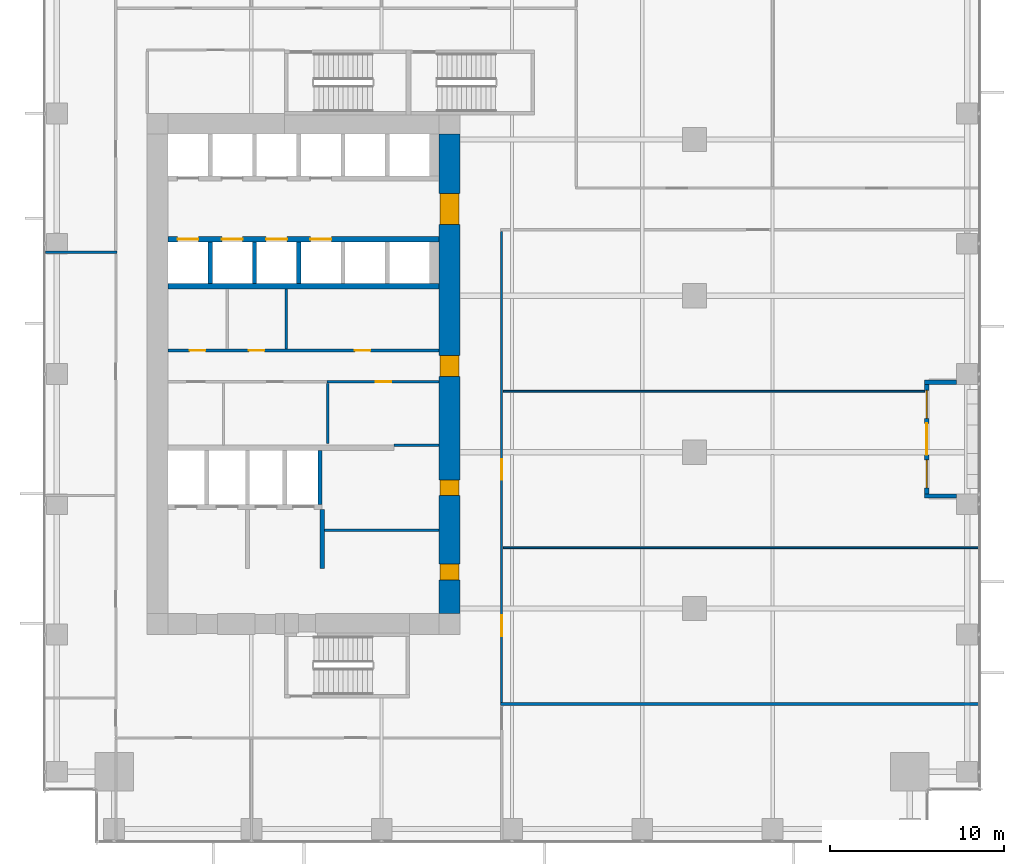
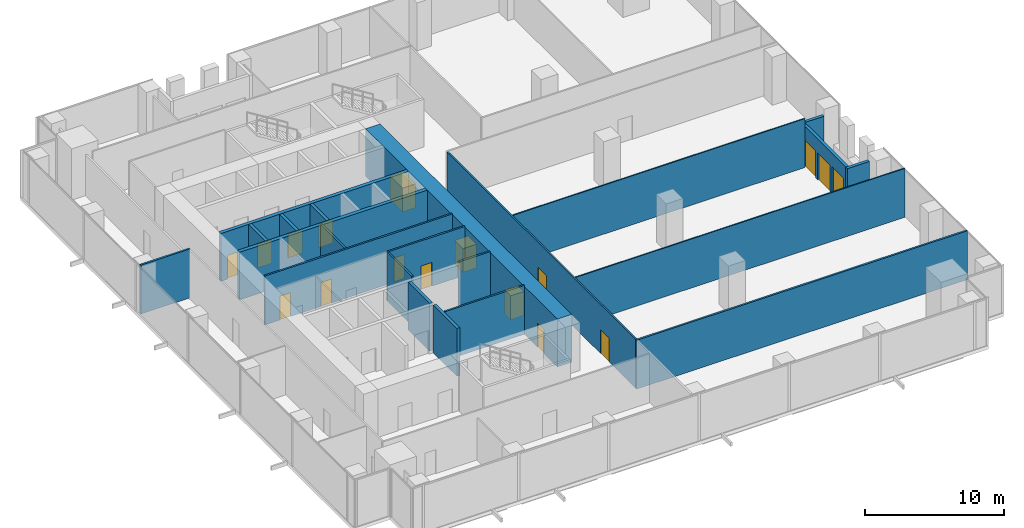
# One storey, part 27 of 32: 22 walls, 15 doors, 2 windows, 17 openings.
"""IFC4 building model written with IfcOpenShell, lengths in metres."""

import ifcopenshell
import ifcopenshell.guid

model = None  # the IFC model being written
_history = None  # IfcOwnerHistory: only IFC2X3 demands one
_inside = {}  # id of a spatial element -> (the spatial element, [elements in it])
_under = {}  # id of a project, library or spatial element -> (it, [spatial elements below it])
_declared = {}  # id of a project -> (the project, [libraries it declares])
_typed = {}  # id of a type object -> (the type object, [elements of that type])
_made_of = {}  # id of a material, layer set ... -> (it, [elements and type objects made of it])


def new_model(schema):
    """Start an empty IFC model of exactly this schema.

    Asked for "IFC4X3", IfcOpenShell would pick the latest addendum, in which some entities
    have other attributes; the version numbers below select the first issue.
    IFC2X3 requires an IfcOwnerHistory on every rooted entity: one is made here for all.
    """
    global model, _history
    if schema == "IFC4X3":
        model = ifcopenshell.file(schema_version=(4, 3, 0, 0))
    else:
        model = ifcopenshell.file(schema=schema)
    _inside.clear()
    _under.clear()
    _declared.clear()
    _typed.clear()
    _made_of.clear()
    _history = None
    if model.schema == "IFC2X3":
        org = make("IfcOrganization", Name="unknown")
        user = make(
            "IfcPersonAndOrganization",
            ThePerson=make("IfcPerson", FamilyName="unknown"),
            TheOrganization=org,
        )
        app = make(
            "IfcApplication",
            ApplicationDeveloper=org,
            Version="unknown",
            ApplicationFullName="unknown",
            ApplicationIdentifier="unknown",
        )
        _history = make(
            "IfcOwnerHistory",
            OwningUser=user,
            OwningApplication=app,
            ChangeAction="ADDED",
            CreationDate=0,
        )
    return model


def make(cls, **values):
    """One entity of the class cls with the attributes given. An attribute that is None is left unset."""
    return model.create_entity(
        cls, **{name: value for name, value in values.items() if value is not None}
    )


def rooted(cls, **values):
    """An entity with a GlobalId (a new one), such as an element, a storey or a relation."""
    return make(cls, GlobalId=ifcopenshell.guid.new(), OwnerHistory=_history, **values)


def si_unit(unit_type, name, prefix=None):
    """IfcSIUnit, for example si_unit("LENGTHUNIT", "METRE", prefix="MILLI")."""
    return make("IfcSIUnit", UnitType=unit_type, Prefix=prefix, Name=name)


def assignment(units):
    """IfcUnitAssignment: the units of a project."""
    return None if units is None else make("IfcUnitAssignment", Units=units)


def point(xyz):
    """IfcCartesianPoint."""
    return None if xyz is None else make("IfcCartesianPoint", Coordinates=xyz)


def direction(xyz):
    """IfcDirection."""
    return None if xyz is None else make("IfcDirection", DirectionRatios=xyz)


def frame(location, z_axis=None, x_axis=None):
    """IfcAxis2Placement3D, a coordinate frame: its origin and axes. An axis left out is left unset."""
    return make(
        "IfcAxis2Placement3D",
        Location=point(location),
        Axis=direction(z_axis),
        RefDirection=direction(x_axis),
    )


def frame_2d(location, x_axis=None):
    """IfcAxis2Placement2D, a coordinate frame in the plane: its origin and x axis."""
    return make(
        "IfcAxis2Placement2D", Location=point(location), RefDirection=direction(x_axis)
    )


def origin():
    """The frame at (0, 0, 0) with its axes left unset."""
    return frame((0.0, 0.0, 0.0))


def place(relative_to, where):
    """IfcLocalPlacement: puts the frame where relative to a parent placement (None: the world)."""
    return make(
        "IfcLocalPlacement", PlacementRelTo=relative_to, RelativePlacement=where
    )


def context(
    kind, dimensions, precision=None, world=None, true_north=None, identifier=None
):
    """IfcGeometricRepresentationContext, for example the 3D "Model" context."""
    return make(
        "IfcGeometricRepresentationContext",
        ContextIdentifier=identifier,
        ContextType=kind,
        CoordinateSpaceDimension=dimensions,
        Precision=precision,
        WorldCoordinateSystem=world,
        TrueNorth=true_north,
    )


def subcontext(parent, identifier, kind, view, scale=None):
    """IfcGeometricRepresentationSubContext, for example "Body" below "Model"."""
    return make(
        "IfcGeometricRepresentationSubContext",
        ContextIdentifier=identifier,
        ContextType=kind,
        ParentContext=parent,
        TargetScale=scale,
        TargetView=view,
    )


def project(units=None, contexts=None):
    """IfcProject with its units and contexts."""
    return rooted(
        "IfcProject",
        Name="project",
        RepresentationContexts=contexts,
        UnitsInContext=assignment(units),
    )


def spatial(cls, under=None, at=None, **own):
    """A site, building, storey or space (cls), placed at a placement, below another one or the project."""
    s = rooted(cls, ObjectPlacement=at, **own)
    if under is not None:
        _under.setdefault(under.id(), (under, []))[1].append(s)
    return s


def profile(cls, at=None, kind="AREA", **sizes):
    """A parametric profile (cls). Its sizes go by their IFC names, for example OverallWidth=200.0."""
    return make(cls, ProfileType=kind, Position=at, **sizes)


def rectangle(**sizes):
    """IfcRectangleProfileDef."""
    return profile("IfcRectangleProfileDef", **sizes)


def extrude(swept, where, along, depth):
    """IfcExtrudedAreaSolid: the profile swept, set in the frame where, extruded along a direction by depth."""
    return make(
        "IfcExtrudedAreaSolid",
        SweptArea=swept,
        Position=where,
        ExtrudedDirection=direction(along),
        Depth=depth,
    )


def shape(context_of_items, identifier, shape_type, items):
    """IfcShapeRepresentation: the items that make up one representation, for example the "Body"."""
    return make(
        "IfcShapeRepresentation",
        ContextOfItems=context_of_items,
        RepresentationIdentifier=identifier,
        RepresentationType=shape_type,
        Items=items,
    )


def source(mapping_origin, context_of_items, identifier, shape_type, items):
    """IfcRepresentationMap: a shape defined once, which mapped items show again and again."""
    return make(
        "IfcRepresentationMap",
        MappingOrigin=mapping_origin,
        MappedRepresentation=shape(context_of_items, identifier, shape_type, items),
    )


def transform(
    local_origin,
    x_axis=None,
    y_axis=None,
    z_axis=None,
    scale=None,
    scale2=None,
    scale3=None,
    uniform=True,
):
    """IfcCartesianTransformationOperator3D, or its non-uniform kind. x_axis, y_axis, z_axis: its Axis1, 2, 3."""
    if uniform:
        return make(
            "IfcCartesianTransformationOperator3D",
            Axis1=direction(x_axis),
            Axis2=direction(y_axis),
            LocalOrigin=point(local_origin),
            Scale=scale,
            Axis3=direction(z_axis),
        )
    return make(
        "IfcCartesianTransformationOperator3DnonUniform",
        Axis1=direction(x_axis),
        Axis2=direction(y_axis),
        LocalOrigin=point(local_origin),
        Scale=scale,
        Axis3=direction(z_axis),
        Scale2=scale2,
        Scale3=scale3,
    )


def mapped(mapping_source, mapping_target):
    """IfcMappedItem: shows the shape of a source again, moved by a transform."""
    return make(
        "IfcMappedItem", MappingSource=mapping_source, MappingTarget=mapping_target
    )


def material(Name=None, Category=None):
    """IfcMaterial."""
    return make("IfcMaterial", Name=Name, Category=Category)


def layer(
    of_material, thickness, ventilated=None, Name=None, Category=None, Priority=None
):
    """IfcMaterialLayer: one layer of a wall or slab, of a material (None: an air gap)."""
    return make(
        "IfcMaterialLayer",
        Material=of_material,
        LayerThickness=thickness,
        IsVentilated=ventilated,
        Name=Name,
        Category=Category,
        Priority=Priority,
    )


def layer_set(layers, Name=None):
    """IfcMaterialLayerSet."""
    return make("IfcMaterialLayerSet", MaterialLayers=layers, LayerSetName=Name)


def made_of(thing, what):
    """Note that an element or type object is made of a material, layer set ...; save() writes the relation."""
    if what is not None:
        _made_of.setdefault(what.id(), (what, []))[1].append(thing)
    return thing


def type_object(cls, material=None, **own):
    """A type object (cls), such as IfcWallType, which elements share."""
    return made_of(rooted(cls, **own), material)


def element(
    cls,
    number,
    at=None,
    inside=None,
    cuts=None,
    type_object=None,
    material=None,
    context=None,
    identifier="Body",
    shape_type=None,
    held_by="IfcProductDefinitionShape",
    body=None,
    shapes=None,
    **own,
):
    """One element of the class cls, such as IfcWall. Its Tag is "e" and its number.

    at: its placement. inside: the storey or other place that contains it. cuts: it is an
    opening in that element (IfcRelVoidsElement). A single representation is given by context,
    identifier, shape_type and body (its items); several are given by shapes. held_by: the class
    of the entity that holds the representations. save() writes the other relations.
    """
    e = rooted(cls, Tag="e%d" % number, ObjectPlacement=at, **own)
    if body is not None:
        shapes = [shape(context, identifier, shape_type, body)]
    if shapes is not None:
        e.Representation = make(held_by, Representations=shapes)
    if inside is not None:
        _inside.setdefault(inside.id(), (inside, []))[1].append(e)
    if cuts is not None:
        rooted(
            "IfcRelVoidsElement", RelatingBuildingElement=cuts, RelatedOpeningElement=e
        )
    if type_object is not None:
        _typed.setdefault(type_object.id(), (type_object, []))[1].append(e)
    return made_of(e, material)


def fill(opening, filler):
    """IfcRelFillsElement: the door or window that sits in an opening."""
    return rooted(
        "IfcRelFillsElement",
        RelatingOpeningElement=opening,
        RelatedBuildingElement=filler,
    )


def aggregate(whole, parts):
    """IfcRelAggregates: a whole, such as a stair, and the parts it consists of."""
    return rooted("IfcRelAggregates", RelatingObject=whole, RelatedObjects=parts)


def save(model, path):
    """Write the relations noted so far, then the file.

    IfcRelAggregates (storeys below a building ...), IfcRelContainedInSpatialStructure (elements
    in a storey), IfcRelDefinesByType, IfcRelAssociatesMaterial and IfcRelDeclares: one each for
    every whole, place, type object, material and project.
    """
    for whole, parts in _under.values():
        aggregate(whole, parts)
    for where, things in _inside.values():
        rooted(
            "IfcRelContainedInSpatialStructure",
            RelatedElements=things,
            RelatingStructure=where,
        )
    for kind, things in _typed.values():
        rooted("IfcRelDefinesByType", RelatedObjects=things, RelatingType=kind)
    for what, things in _made_of.values():
        rooted("IfcRelAssociatesMaterial", RelatedObjects=things, RelatingMaterial=what)
    for by, libraries in _declared.values():
        rooted("IfcRelDeclares", RelatingContext=by, RelatedDefinitions=libraries)
    model.write(path)


model = new_model("IFC4")

# Units and contexts
model_context = context("Model", 3, precision=1e-05, world=origin(), true_north=direction((0.0, 1.0)))
body_context = subcontext(model_context, "Body", "Model", "MODEL_VIEW")
ifc_project = project(units=[si_unit("LENGTHUNIT", "METRE"), si_unit("AREAUNIT", "SQUARE_METRE"), si_unit("VOLUMEUNIT", "CUBIC_METRE"), si_unit("PLANEANGLEUNIT", "RADIAN"), si_unit("MASSUNIT", "GRAM", prefix="KILO")], contexts=[model_context])

# Site, building, storey
site_placement = place(None, origin())
site = spatial("IfcSite", under=ifc_project, at=site_placement, CompositionType="ELEMENT")
building_placement = place(site_placement, origin())
building = spatial("IfcBuilding", under=site, at=building_placement, Name="Khomas Fold Tower", CompositionType="ELEMENT")
storey_placement = place(building_placement, frame((0.0, 0.0, 42.0)))
storey = spatial("IfcBuildingStorey", under=building, at=storey_placement, Name="L08", CompositionType="ELEMENT", Elevation=42.0)

# Wall, openings, doors
ifc_material_1 = material(Name="Concrete C70/85", Category="concrete")
ifc_layer_1 = layer(ifc_material_1, 1.199951171875)
ifc_layer_set_1 = layer_set([ifc_layer_1], Name="Concrete C70/85")
wall_type_1 = type_object("IfcWallType", Name="Core wall 1200", PredefinedType="SHEAR", material=ifc_layer_set_1)
shared_shape_1 = source(origin(), body_context, "Body", "SweptSolid", [
    extrude(rectangle(XDim=27.60009765625, YDim=1.199951171875, at=frame_2d((13.800048828125, 0.0))), origin(), (0.0, 0.0, 1.0), 4.199951171875),
])
wall_1_placement = place(storey_placement, frame((23.39990234375, 13.199951171875, 0.0), z_axis=(0.0, 0.0, 1.0), x_axis=(0.0, 1.0, 0.0)))
wall_1 = element("IfcWall", 1, at=wall_1_placement, inside=storey, type_object=wall_type_1, Name="Core wall CW-L-E-B2", PredefinedType="SHEAR", context=body_context, shape_type="MappedRepresentation", body=[
    mapped(shared_shape_1, transform((0.0, 0.0, 0.0))),
])
shared_shape_2 = source(origin(), body_context, "Body", "SweptSolid", [
    extrude(rectangle(XDim=1.800048828125, YDim=2.10009765625, at=frame_2d((0.89990234375, 1.050048828125))), frame((0.0, 0.60986328125, 0.0), z_axis=(0.0, -1.0, 0.0), x_axis=(1.0, 0.0, 0.0)), (0.0, 0.0, 1.0), 1.219970703125),
])
opening_1_placement = place(wall_1_placement, frame((22.39990234375, 0.0, 0.0)))
opening_1 = element("IfcOpeningElement", 2, at=opening_1_placement, cuts=wall_1, Name="Opening 0015", PredefinedType="OPENING", context=body_context, shape_type="MappedRepresentation", body=[
    mapped(shared_shape_2, transform((0.0, 0.0, 0.0))),
])
shared_shape_3 = source(origin(), body_context, "Body", "SweptSolid", [
    extrude(rectangle(XDim=1.199951171875, YDim=2.10009765625, at=frame_2d((0.60009765625, 1.050048828125))), frame((0.0, 0.60986328125, 0.0), z_axis=(0.0, -1.0, 0.0), x_axis=(1.0, 0.0, 0.0)), (0.0, 0.0, 1.0), 1.219970703125),
])
opening_2_placement = place(wall_1_placement, frame((13.64990234375, 0.0, 0.0)))
opening_2 = element("IfcOpeningElement", 3, at=opening_2_placement, cuts=wall_1, Name="Opening 0001", PredefinedType="OPENING", context=body_context, shape_type="MappedRepresentation", body=[
    mapped(shared_shape_3, transform((0.0, 0.0, 0.0))),
])
shared_shape_4 = source(origin(), body_context, "Body", "SweptSolid", [
    extrude(rectangle(XDim=0.89990234375, YDim=2.10009765625, at=frame_2d((0.449951171875, 1.050048828125))), frame((0.0, 0.60986328125, 0.0), z_axis=(0.0, -1.0, 0.0), x_axis=(1.0, 0.0, 0.0)), (0.0, 0.0, 1.0), 1.219970703125),
])
opening_3_placement = place(wall_1_placement, frame((1.949951171875, 0.0, 0.0)))
opening_3 = element("IfcOpeningElement", 4, at=opening_3_placement, cuts=wall_1, Name="Opening 0003", PredefinedType="OPENING", context=body_context, shape_type="MappedRepresentation", body=[
    mapped(shared_shape_4, transform((0.0, 0.0, 0.0))),
])
opening_4_placement = place(wall_1_placement, frame((6.800048828125, 0.0, 0.0)))
opening_4 = element("IfcOpeningElement", 5, at=opening_4_placement, cuts=wall_1, Name="Opening 0003", PredefinedType="OPENING", context=body_context, shape_type="MappedRepresentation", body=[
    mapped(shared_shape_4, transform((0.0, 0.0, 0.0))),
])
ifc_material_2 = material(Name="Timber door leaf", Category="wood")
door_type_1 = type_object("IfcDoorType", Name="Door 1200x2100 right-hand", OperationType="SINGLE_SWING_RIGHT", PredefinedType="DOOR", material=ifc_material_2)
shared_shape_5 = source(origin(), body_context, "Body", "SweptSolid", [
    extrude(rectangle(XDim=1.199951171875, YDim=2.10009765625, at=frame_2d((0.60009765625, 1.050048828125))), frame((0.0, 0.5498046875, 0.0), z_axis=(0.0, -1.0, 0.0), x_axis=(1.0, 0.0, 0.0)), (0.0, 0.0, 1.0), 1.099853515625),
])
door_1_placement = place(opening_2_placement, origin())
door_1 = element("IfcDoor", 6, at=door_1_placement, inside=storey, type_object=door_type_1, Name="Door", OperationType="SINGLE_SWING_RIGHT", OverallHeight=2.10009765625, OverallWidth=1.199951171875, PredefinedType="DOOR", context=body_context, shape_type="MappedRepresentation", body=[
    mapped(shared_shape_5, transform((0.0, 0.0, 0.0))),
])
fill(opening_2, door_1)
ifc_material_3 = material(Name="Steel door leaf", Category="steel")
door_type_2 = type_object("IfcDoorType", Name="Plant room door 900x2100 right-hand", OperationType="SINGLE_SWING_RIGHT", PredefinedType="DOOR", material=ifc_material_3)
shared_shape_6 = source(origin(), body_context, "Body", "SweptSolid", [
    extrude(rectangle(XDim=0.89990234375, YDim=2.10009765625, at=frame_2d((0.449951171875, 1.050048828125))), frame((0.0, 0.5498046875, 0.0), z_axis=(0.0, -1.0, 0.0), x_axis=(1.0, 0.0, 0.0)), (0.0, 0.0, 1.0), 1.099853515625),
])
door_2_placement = place(opening_3_placement, origin())
door_2 = element("IfcDoor", 7, at=door_2_placement, inside=storey, type_object=door_type_2, Name="Plant room door", OperationType="SINGLE_SWING_RIGHT", OverallHeight=2.10009765625, OverallWidth=0.89990234375, PredefinedType="DOOR", context=body_context, shape_type="MappedRepresentation", body=[
    mapped(shared_shape_6, transform((0.0, 0.0, 0.0))),
])
fill(opening_3, door_2)
door_3_placement = place(opening_4_placement, origin())
door_3 = element("IfcDoor", 8, at=door_3_placement, inside=storey, type_object=door_type_2, Name="Plant room door", OperationType="SINGLE_SWING_RIGHT", OverallHeight=2.10009765625, OverallWidth=0.89990234375, PredefinedType="DOOR", context=body_context, shape_type="MappedRepresentation", body=[
    mapped(shared_shape_6, transform((0.0, 0.0, 0.0))),
])
fill(opening_4, door_3)
ifc_material_4 = material(Name="Steel door leaf", Category="steel")
door_type_3 = type_object("IfcDoorType", Name="Lobby door 1800x2100", OperationType="DOUBLE_DOOR_SINGLE_SWING", PredefinedType="DOOR", material=ifc_material_4)
shared_shape_7 = source(origin(), body_context, "Body", "SweptSolid", [
    extrude(rectangle(XDim=1.800048828125, YDim=2.10009765625, at=frame_2d((0.89990234375, 1.050048828125))), frame((0.0, 0.5498046875, 0.0), z_axis=(0.0, -1.0, 0.0), x_axis=(1.0, 0.0, 0.0)), (0.0, 0.0, 1.0), 1.099853515625),
])
door_4_placement = place(opening_1_placement, origin())
door_4 = element("IfcDoor", 9, at=door_4_placement, inside=storey, type_object=door_type_3, Name="Lobby door", OperationType="DOUBLE_DOOR_SINGLE_SWING", OverallHeight=2.10009765625, OverallWidth=1.800048828125, PredefinedType="DOOR", context=body_context, shape_type="MappedRepresentation", body=[
    mapped(shared_shape_7, transform((0.0, 0.0, 0.0))),
])
fill(opening_1, door_4)

# Wall
ifc_material_5 = material(Name="Concrete C50/60", Category="concrete")
ifc_layer_2 = layer(ifc_material_5, 0.300048828125)
ifc_layer_set_2 = layer_set([ifc_layer_2], Name="Concrete C50/60")
wall_type_2 = type_object("IfcWallType", Name="Shaft wall 300", PredefinedType="STANDARD", material=ifc_layer_set_2)
shared_shape_8 = source(origin(), body_context, "Body", "SweptSolid", [
    extrude(rectangle(XDim=15.60009765625, YDim=0.300048828125, at=frame_2d((7.800048828125, 0.0))), origin(), (0.0, 0.0, 1.0), 4.199951171875),
])
wall_2_placement = place(storey_placement, frame((7.199951171875, 32.050048828125, 0.0), z_axis=(0.0, 0.0, 1.0), x_axis=(1.0, 0.0, 0.0)))
element("IfcWall", 10, at=wall_2_placement, inside=storey, type_object=wall_type_2, Name="Core wall SW-HRN-B", PredefinedType="STANDARD", context=body_context, shape_type="MappedRepresentation", body=[
    mapped(shared_shape_8, transform((0.0, 0.0, 0.0))),
])

# Wall, openings, doors
wall_3_placement = place(storey_placement, frame((7.199951171875, 34.75, 0.0), z_axis=(0.0, 0.0, 1.0), x_axis=(1.0, 0.0, 0.0)))
wall_3 = element("IfcWall", 11, at=wall_3_placement, inside=storey, type_object=wall_type_2, Name="Core wall SW-LRS-F", PredefinedType="STANDARD", context=body_context, shape_type="MappedRepresentation", body=[
    mapped(shared_shape_8, transform((0.0, 0.0, 0.0))),
])
shared_shape_9 = source(origin(), body_context, "Body", "SweptSolid", [
    extrude(rectangle(XDim=1.199951171875, YDim=2.10009765625, at=frame_2d((0.60009765625, 1.050048828125))), frame((0.0, 0.159912109375, 0.0), z_axis=(0.0, -1.0, 0.0), x_axis=(1.0, 0.0, 0.0)), (0.0, 0.0, 1.0), 0.320068359375),
])
opening_5_placement = place(wall_3_placement, frame((0.550048828125, 0.0, 0.0)))
opening_5 = element("IfcOpeningElement", 12, at=opening_5_placement, cuts=wall_3, Name="Opening LD-LR1", PredefinedType="OPENING", context=body_context, shape_type="MappedRepresentation", body=[
    mapped(shared_shape_9, transform((0.0, 0.0, 0.0))),
])
opening_6_placement = place(wall_3_placement, frame((3.10009765625, 0.0, 0.0)))
opening_6 = element("IfcOpeningElement", 13, at=opening_6_placement, cuts=wall_3, Name="Opening LD-LR2", PredefinedType="OPENING", context=body_context, shape_type="MappedRepresentation", body=[
    mapped(shared_shape_9, transform((0.0, 0.0, 0.0))),
])
opening_7_placement = place(wall_3_placement, frame((5.64990234375, 0.0, 0.0)))
opening_7 = element("IfcOpeningElement", 14, at=opening_7_placement, cuts=wall_3, Name="Opening LD-LR3", PredefinedType="OPENING", context=body_context, shape_type="MappedRepresentation", body=[
    mapped(shared_shape_9, transform((0.0, 0.0, 0.0))),
])
opening_8_placement = place(wall_3_placement, frame((8.199951171875, 0.0, 0.0)))
opening_8 = element("IfcOpeningElement", 15, at=opening_8_placement, cuts=wall_3, Name="Opening LD-LR4", PredefinedType="OPENING", context=body_context, shape_type="MappedRepresentation", body=[
    mapped(shared_shape_9, transform((0.0, 0.0, 0.0))),
])
ifc_material_6 = material(Name="Steel door leaf", Category="steel")
door_type_4 = type_object("IfcDoorType", Name="Landing door 1200x2100", OperationType="DOUBLE_DOOR_SLIDING", PredefinedType="DOOR", material=ifc_material_6)
shared_shape_10 = source(origin(), body_context, "Body", "SweptSolid", [
    extrude(rectangle(XDim=1.199951171875, YDim=2.10009765625, at=frame_2d((0.60009765625, 1.050048828125))), frame((0.0, 0.02490234375, 0.0), z_axis=(0.0, -1.0, 0.0), x_axis=(1.0, 0.0, 0.0)), (0.0, 0.0, 1.0), 0.050048828125),
])
door_5_placement = place(opening_5_placement, origin())
door_5 = element("IfcDoor", 16, at=door_5_placement, inside=storey, type_object=door_type_4, Name="Lift landing door", OperationType="DOUBLE_DOOR_SLIDING", OverallHeight=2.10009765625, OverallWidth=1.199951171875, PredefinedType="DOOR", context=body_context, shape_type="MappedRepresentation", body=[
    mapped(shared_shape_10, transform((0.0, 0.0, 0.0))),
])
fill(opening_5, door_5)
door_6_placement = place(opening_6_placement, origin())
door_6 = element("IfcDoor", 17, at=door_6_placement, inside=storey, type_object=door_type_4, Name="Lift landing door", OperationType="DOUBLE_DOOR_SLIDING", OverallHeight=2.10009765625, OverallWidth=1.199951171875, PredefinedType="DOOR", context=body_context, shape_type="MappedRepresentation", body=[
    mapped(shared_shape_10, transform((0.0, 0.0, 0.0))),
])
fill(opening_6, door_6)
door_7_placement = place(opening_7_placement, origin())
door_7 = element("IfcDoor", 18, at=door_7_placement, inside=storey, type_object=door_type_4, Name="Lift landing door", OperationType="DOUBLE_DOOR_SLIDING", OverallHeight=2.10009765625, OverallWidth=1.199951171875, PredefinedType="DOOR", context=body_context, shape_type="MappedRepresentation", body=[
    mapped(shared_shape_10, transform((0.0, 0.0, 0.0))),
])
fill(opening_7, door_7)
door_8_placement = place(opening_8_placement, origin())
door_8 = element("IfcDoor", 19, at=door_8_placement, inside=storey, type_object=door_type_4, Name="Lift landing door", OperationType="DOUBLE_DOOR_SLIDING", OverallHeight=2.10009765625, OverallWidth=1.199951171875, PredefinedType="DOOR", context=body_context, shape_type="MappedRepresentation", body=[
    mapped(shared_shape_10, transform((0.0, 0.0, 0.0))),
])
fill(opening_8, door_8)

# Walls
ifc_material_7 = material(Name="Concrete C50/60", Category="concrete")
ifc_layer_3 = layer(ifc_material_7, 0.25)
ifc_layer_set_3 = layer_set([ifc_layer_3], Name="Concrete C50/60")
wall_type_3 = type_object("IfcWallType", Name="Shaft wall 250", PredefinedType="STANDARD", material=ifc_layer_set_3)
shared_shape_11 = source(origin(), body_context, "Body", "SweptSolid", [
    extrude(rectangle(XDim=3.10009765625, YDim=0.25, at=frame_2d((1.550048828125, 0.0))), origin(), (0.0, 0.0, 1.0), 4.199951171875),
])
wall_4_placement = place(storey_placement, frame((15.949951171875, 19.5, 0.0), z_axis=(0.0, 0.0, 1.0), x_axis=(0.0, 1.0, 0.0)))
element("IfcWall", 20, at=wall_4_placement, inside=storey, type_object=wall_type_3, Name="Core wall SW-FS-PE", PredefinedType="STANDARD", context=body_context, shape_type="MappedRepresentation", body=[
    mapped(shared_shape_11, transform((0.0, 0.0, 0.0))),
])
shared_shape_12 = source(origin(), body_context, "Body", "SweptSolid", [
    extrude(rectangle(XDim=2.400146484375, YDim=0.25, at=frame_2d((1.2001953125, 0.0))), origin(), (0.0, 0.0, 1.0), 4.199951171875),
])
for number, where, z_axis, x_axis, name in (
    (21, (9.625, 32.199951171875, 0.0), (0.0, 0.0, 1.0), (0.0, 1.0, 0.0), "Core wall SW-LRS-P1"),
    (22, (12.175048828125, 32.199951171875, 0.0), (0.0, 0.0, 1.0), (0.0, 1.0, 0.0), "Core wall SW-LRS-P2"),
    (23, (14.72509765625, 32.199951171875, 0.0), (0.0, 0.0, 1.0), (0.0, 1.0, 0.0), "Core wall SW-LRS-P3"),
):
    element("IfcWall", number, at=place(storey_placement, frame(where, z_axis=z_axis, x_axis=x_axis)), inside=storey, type_object=wall_type_3, Name=name, PredefinedType="STANDARD", context=body_context, shape_type="MappedRepresentation", body=[
        mapped(shared_shape_12, transform((0.0, 0.0, 0.0))),
    ])
ifc_material_8 = material(Name="Concrete C50/60", Category="concrete")
ifc_layer_4 = layer(ifc_material_8, 0.25)
ifc_layer_set_4 = layer_set([ifc_layer_4], Name="Concrete C50/60")
wall_type_4 = type_object("IfcWallType", Name="Lobby wall 250", PredefinedType="STANDARD", material=ifc_layer_set_4)
shared_shape_13 = source(origin(), body_context, "Body", "SweptSolid", [
    extrude(rectangle(XDim=3.39990234375, YDim=0.25, at=frame_2d((1.699951171875, 0.0))), origin(), (0.0, 0.0, 1.0), 4.199951171875),
])
wall_5_placement = place(storey_placement, frame((16.074951171875, 15.800048828125, 0.0), z_axis=(0.0, 0.0, 1.0), x_axis=(0.0, 1.0, 0.0)))
element("IfcWall", 24, at=wall_5_placement, inside=storey, type_object=wall_type_4, Name="Core wall SW-FS-LOB-E", PredefinedType="STANDARD", context=body_context, shape_type="MappedRepresentation", body=[
    mapped(shared_shape_13, transform((0.0, 0.0, 0.0))),
])

# Wall, openings, windows, door
ifc_material_9 = material(Name="Natural stone", Category="masonry")
ifc_layer_5 = layer(ifc_material_9, 0.0400390625)
ifc_material_10 = material(Name="Mineral wool insulation", Category="insulation")
ifc_layer_6 = layer(ifc_material_10, 0.10009765625)
ifc_material_11 = material(Name="Masonry", Category="masonry")
ifc_layer_7 = layer(ifc_material_11, 0.110107421875)
ifc_layer_set_5 = layer_set([ifc_layer_5, ifc_layer_6, ifc_layer_7], Name="Stone-faced insulated masonry")
wall_type_5 = type_object("IfcWallType", Name="BL-Balcony wall", PredefinedType="SOLIDWALL", material=ifc_layer_set_5)
shared_shape_14 = source(origin(), body_context, "Body", "SweptSolid", [
    extrude(rectangle(XDim=6.2998046875, YDim=0.25, at=frame_2d((3.14990234375, 0.0))), origin(), (0.0, 0.0, 1.0), 3.60009765625),
])
wall_6_placement = place(storey_placement, frame((50.875, 20.10009765625, 0.0), z_axis=(0.0, 0.0, 1.0), x_axis=(0.0, 1.0, 0.0)))
wall_6 = element("IfcWall", 25, at=wall_6_placement, inside=storey, type_object=wall_type_5, Name="Balcony wall BAL-L08-E2", PredefinedType="SOLIDWALL", context=body_context, shape_type="MappedRepresentation", body=[
    mapped(shared_shape_14, transform((0.0, 0.0, 0.0))),
])
shared_shape_15 = source(origin(), body_context, "Body", "SweptSolid", [
    extrude(rectangle(XDim=1.60009765625, YDim=2.39990234375, at=frame_2d((0.800048828125, 1.199951171875))), frame((0.0, 0.135009765625, 0.0), z_axis=(0.0, -1.0, 0.0), x_axis=(1.0, 0.0, 0.0)), (0.0, 0.0, 1.0), 0.27001953125),
])
opening_9_placement = place(wall_6_placement, frame((0.35009765625, 0.0, 0.0)))
opening_9 = element("IfcOpeningElement", 26, at=opening_9_placement, cuts=wall_6, Name="Opening BL-W1", PredefinedType="OPENING", context=body_context, shape_type="MappedRepresentation", body=[
    mapped(shared_shape_15, transform((0.0, 0.0, 0.0))),
])
opening_10_placement = place(wall_6_placement, frame((4.35009765625, 0.0, 0.0)))
opening_10 = element("IfcOpeningElement", 27, at=opening_10_placement, cuts=wall_6, Name="Opening BL-W1", PredefinedType="OPENING", context=body_context, shape_type="MappedRepresentation", body=[
    mapped(shared_shape_15, transform((0.0, 0.0, 0.0))),
])
shared_shape_16 = source(origin(), body_context, "Body", "SweptSolid", [
    extrude(rectangle(XDim=1.800048828125, YDim=2.39990234375, at=frame_2d((0.89990234375, 1.199951171875))), frame((0.0, 0.135009765625, 0.0), z_axis=(0.0, -1.0, 0.0), x_axis=(1.0, 0.0, 0.0)), (0.0, 0.0, 1.0), 0.27001953125),
])
opening_11_placement = place(wall_6_placement, frame((2.25, 0.0, 0.0)))
opening_11 = element("IfcOpeningElement", 28, at=opening_11_placement, cuts=wall_6, Name="Opening BD082", PredefinedType="OPENING", context=body_context, shape_type="MappedRepresentation", body=[
    mapped(shared_shape_16, transform((0.0, 0.0, 0.0))),
])
ifc_material_12 = material(Name="Aluminium framed double glazing", Category="aluminium")
window_type = type_object("IfcWindowType", Name="BL-Fixed glazing 1600 x 2400", PartitioningType="SINGLE_PANEL", PredefinedType="WINDOW", material=ifc_material_12)
shared_shape_17 = source(origin(), body_context, "Body", "SweptSolid", [
    extrude(rectangle(XDim=1.60009765625, YDim=2.39990234375, at=frame_2d((0.800048828125, 1.199951171875))), frame((0.0, 0.030029296875, 0.0), z_axis=(0.0, -1.0, 0.0), x_axis=(1.0, 0.0, 0.0)), (0.0, 0.0, 1.0), 0.06005859375),
])
window_1_placement = place(opening_9_placement, origin())
window_1 = element("IfcWindow", 29, at=window_1_placement, inside=storey, type_object=window_type, Name="Balcony glazing BAL-L08-E2-1", OverallHeight=2.39990234375, OverallWidth=1.60009765625, PartitioningType="SINGLE_PANEL", PredefinedType="WINDOW", context=body_context, shape_type="MappedRepresentation", body=[
    mapped(shared_shape_17, transform((0.0, 0.0, 0.0))),
])
fill(opening_9, window_1)
window_2_placement = place(opening_10_placement, origin())
window_2 = element("IfcWindow", 30, at=window_2_placement, inside=storey, type_object=window_type, Name="Balcony glazing BAL-L08-E2-2", OverallHeight=2.39990234375, OverallWidth=1.60009765625, PartitioningType="SINGLE_PANEL", PredefinedType="WINDOW", context=body_context, shape_type="MappedRepresentation", body=[
    mapped(shared_shape_17, transform((0.0, 0.0, 0.0))),
])
fill(opening_10, window_2)
ifc_material_13 = material(Name="Aluminium framed double glazing", Category="aluminium")
door_type_5 = type_object("IfcDoorType", Name="BL-Glazed balcony door 1800 x 2400", OperationType="DOUBLE_DOOR_DOUBLE_SWING", PredefinedType="DOOR", material=ifc_material_13)
shared_shape_18 = source(origin(), body_context, "Body", "SweptSolid", [
    extrude(rectangle(XDim=1.800048828125, YDim=2.39990234375, at=frame_2d((0.89990234375, 1.199951171875))), frame((0.0, 0.02490234375, 0.0), z_axis=(0.0, -1.0, 0.0), x_axis=(1.0, 0.0, 0.0)), (0.0, 0.0, 1.0), 0.050048828125),
])
door_9_placement = place(opening_11_placement, origin())
door_9 = element("IfcDoor", 31, at=door_9_placement, inside=storey, type_object=door_type_5, Name="Balcony door BD082", OperationType="DOUBLE_DOOR_DOUBLE_SWING", OverallHeight=2.39990234375, OverallWidth=1.800048828125, PredefinedType="DOOR", context=body_context, shape_type="MappedRepresentation", body=[
    mapped(shared_shape_18, transform((0.0, 0.0, 0.0))),
])
fill(opening_11, door_9)

# Walls
shared_shape_19 = source(origin(), body_context, "Body", "SweptSolid", [
    extrude(rectangle(XDim=1.85009765625, YDim=0.25, at=frame_2d((0.925048828125, 0.0))), origin(), (0.0, 0.0, 1.0), 3.60009765625),
])
for number, where, z_axis, x_axis, name in (
    (32, (52.60009765625, 19.97509765625, 0.0), (0.0, 0.0, 1.0), (-1.0, 0.0, 0.0), "Balcony return wall BAL-L08-E2-lo"),
    (33, (52.60009765625, 26.52490234375, 0.0), (0.0, 0.0, 1.0), (-1.0, 0.0, 0.0), "Balcony return wall BAL-L08-E2-hi"),
):
    element("IfcWall", number, at=place(storey_placement, frame(where, z_axis=z_axis, x_axis=x_axis)), inside=storey, type_object=wall_type_5, Name=name, PredefinedType="SOLIDWALL", context=body_context, shape_type="MappedRepresentation", body=[
        mapped(shared_shape_19, transform((0.0, 0.0, 0.0))),
    ])
ifc_material_14 = material(Name="Plasterboard fire partition")
ifc_layer_8 = layer(ifc_material_14, 0.14990234375)
ifc_layer_set_6 = layer_set([ifc_layer_8], Name="Plasterboard fire partition")
wall_type_6 = type_object("IfcWallType", Name="Plant room wall PW3 150", PredefinedType="PARTITIONING", material=ifc_layer_set_6)
shared_shape_20 = source(origin(), body_context, "Body", "SweptSolid", [
    extrude(rectangle(XDim=27.5, YDim=0.14990234375, at=frame_2d((13.75, 0.0))), origin(), (0.0, 0.0, 1.0), 4.300048828125),
])
wall_7_placement = place(storey_placement, frame((26.35009765625, 8.0, 0.0), z_axis=(0.0, 0.0, 1.0), x_axis=(1.0, 0.0, 0.0)))
element("IfcWall", 34, at=wall_7_placement, inside=storey, type_object=wall_type_6, Name="Plant room wall", PredefinedType="PARTITIONING", context=body_context, shape_type="MappedRepresentation", body=[
    mapped(shared_shape_20, transform((0.0, 0.0, 0.0))),
])

# Wall, openings, doors
ifc_material_15 = material(Name="Plasterboard partition")
ifc_layer_9 = layer(ifc_material_15, 0.125)
ifc_layer_set_7 = layer_set([ifc_layer_9], Name="Plasterboard partition")
wall_type_7 = type_object("IfcWallType", Name="Partition PW2 125", PredefinedType="PARTITIONING", material=ifc_layer_set_7)
shared_shape_21 = source(origin(), body_context, "Body", "SweptSolid", [
    extrude(rectangle(XDim=27.099853515625, YDim=0.125, at=frame_2d((13.5498046875, 0.0))), origin(), (0.0, 0.0, 1.0), 4.300048828125),
])
wall_8_placement = place(storey_placement, frame((26.39990234375, 8.10009765625, 0.0), z_axis=(0.0, 0.0, 1.0), x_axis=(0.0, 1.0, 0.0)))
wall_8 = element("IfcWall", 35, at=wall_8_placement, inside=storey, type_object=wall_type_7, Name="Partition", PredefinedType="PARTITIONING", context=body_context, shape_type="MappedRepresentation", body=[
    mapped(shared_shape_21, transform((0.0, 0.0, 0.0))),
])
shared_shape_22 = source(origin(), body_context, "Body", "SweptSolid", [
    extrude(rectangle(XDim=1.199951171875, YDim=2.10009765625, at=frame_2d((0.60009765625, 1.050048828125))), frame((0.0, 0.072509765625, 0.0), z_axis=(0.0, -1.0, 0.0), x_axis=(1.0, 0.0, 0.0)), (0.0, 0.0, 1.0), 0.14501953125),
])
opening_12_placement = place(wall_8_placement, frame((3.800048828125, 0.0, 0.0)))
opening_12 = element("IfcOpeningElement", 36, at=opening_12_placement, cuts=wall_8, Name="Opening 0013", PredefinedType="OPENING", context=body_context, shape_type="MappedRepresentation", body=[
    mapped(shared_shape_22, transform((0.0, 0.0, 0.0))),
])
opening_13_placement = place(wall_8_placement, frame((12.800048828125, 0.0, 0.0)))
opening_13 = element("IfcOpeningElement", 37, at=opening_13_placement, cuts=wall_8, Name="Opening 0013", PredefinedType="OPENING", context=body_context, shape_type="MappedRepresentation", body=[
    mapped(shared_shape_22, transform((0.0, 0.0, 0.0))),
])
ifc_material_16 = material(Name="Timber door leaf", Category="wood")
door_type_6 = type_object("IfcDoorType", Name="Door 1200x2100 left-hand", OperationType="SINGLE_SWING_LEFT", PredefinedType="DOOR", material=ifc_material_16)
door_10_placement = place(opening_12_placement, origin())
door_10 = element("IfcDoor", 38, at=door_10_placement, inside=storey, type_object=door_type_6, Name="Door", OperationType="SINGLE_SWING_LEFT", OverallHeight=2.10009765625, OverallWidth=1.199951171875, PredefinedType="DOOR", context=body_context, shape_type="MappedRepresentation", body=[
    mapped(shared_shape_10, transform((0.0, 0.0, 0.0))),
])
fill(opening_12, door_10)
door_11_placement = place(opening_13_placement, origin())
door_11 = element("IfcDoor", 39, at=door_11_placement, inside=storey, type_object=door_type_6, Name="Door", OperationType="SINGLE_SWING_LEFT", OverallHeight=2.10009765625, OverallWidth=1.199951171875, PredefinedType="DOOR", context=body_context, shape_type="MappedRepresentation", body=[
    mapped(shared_shape_10, transform((0.0, 0.0, 0.0))),
])
fill(opening_13, door_11)

# Walls
ifc_material_17 = material(Name="Plasterboard partition")
ifc_layer_10 = layer(ifc_material_17, 0.10009765625)
ifc_layer_set_8 = layer_set([ifc_layer_10], Name="Plasterboard partition")
wall_type_8 = type_object("IfcWallType", Name="Partition PW1 100", PredefinedType="PARTITIONING", material=ifc_layer_set_8)
shared_shape_23 = source(origin(), body_context, "Body", "SweptSolid", [
    extrude(rectangle(XDim=27.35009765625, YDim=0.10009765625, at=frame_2d((13.675048828125, 0.0))), origin(), (0.0, 0.0, 1.0), 4.300048828125),
])
wall_9_placement = place(storey_placement, frame((26.5, 17.0, 0.0), z_axis=(0.0, 0.0, 1.0), x_axis=(1.0, 0.0, 0.0)))
element("IfcWall", 40, at=wall_9_placement, inside=storey, type_object=wall_type_8, Name="Partition", PredefinedType="PARTITIONING", context=body_context, shape_type="MappedRepresentation", body=[
    mapped(shared_shape_23, transform((0.0, 0.0, 0.0))),
])
shared_shape_24 = source(origin(), body_context, "Body", "SweptSolid", [
    extrude(rectangle(XDim=6.60009765625, YDim=0.14990234375, at=frame_2d((3.300048828125, 0.0))), origin(), (0.0, 0.0, 1.0), 4.300048828125),
])
wall_10_placement = place(storey_placement, frame((16.199951171875, 18.0, 0.0), z_axis=(0.0, 0.0, 1.0), x_axis=(1.0, 0.0, 0.0)))
element("IfcWall", 41, at=wall_10_placement, inside=storey, type_object=wall_type_6, Name="Plant room wall", PredefinedType="PARTITIONING", context=body_context, shape_type="MappedRepresentation", body=[
    mapped(shared_shape_24, transform((0.0, 0.0, 0.0))),
])
shared_shape_25 = source(origin(), body_context, "Body", "SweptSolid", [
    extrude(rectangle(XDim=2.60009765625, YDim=0.14990234375, at=frame_2d((1.300048828125, 0.0))), origin(), (0.0, 0.0, 1.0), 4.300048828125),
])
wall_11_placement = place(storey_placement, frame((20.199951171875, 22.89990234375, 0.0), z_axis=(0.0, 0.0, 1.0), x_axis=(1.0, 0.0, 0.0)))
element("IfcWall", 42, at=wall_11_placement, inside=storey, type_object=wall_type_6, Name="Plant room wall", PredefinedType="PARTITIONING", context=body_context, shape_type="MappedRepresentation", body=[
    mapped(shared_shape_25, transform((0.0, 0.0, 0.0))),
])
shared_shape_26 = source(origin(), body_context, "Body", "SweptSolid", [
    extrude(rectangle(XDim=3.449951171875, YDim=0.14990234375, at=frame_2d((1.72509765625, 0.0))), origin(), (0.0, 0.0, 1.0), 4.300048828125),
])
for number, where, z_axis, x_axis, name in (
    (43, (16.39990234375, 23.0, 0.0), (0.0, 0.0, 1.0), (0.0, 1.0, 0.0), "Plant room wall"),
    (44, (14.0, 28.449951171875, 0.0), (0.0, 0.0, 1.0), (0.0, 1.0, 0.0), "Plant room wall"),
):
    element("IfcWall", number, at=place(storey_placement, frame(where, z_axis=z_axis, x_axis=x_axis)), inside=storey, type_object=wall_type_6, Name=name, PredefinedType="PARTITIONING", context=body_context, shape_type="MappedRepresentation", body=[
        mapped(shared_shape_26, transform((0.0, 0.0, 0.0))),
    ])
shared_shape_27 = source(origin(), body_context, "Body", "SweptSolid", [
    extrude(rectangle(XDim=24.25, YDim=0.10009765625, at=frame_2d((12.125, 0.0))), origin(), (0.0, 0.0, 1.0), 4.300048828125),
])
wall_12_placement = place(storey_placement, frame((26.5, 26.0, 0.0), z_axis=(0.0, 0.0, 1.0), x_axis=(1.0, 0.0, 0.0)))
element("IfcWall", 45, at=wall_12_placement, inside=storey, type_object=wall_type_8, Name="Partition", PredefinedType="PARTITIONING", context=body_context, shape_type="MappedRepresentation", body=[
    mapped(shared_shape_27, transform((0.0, 0.0, 0.0))),
])

# Wall, opening, door
shared_shape_28 = source(origin(), body_context, "Body", "SweptSolid", [
    extrude(rectangle(XDim=6.449951171875, YDim=0.14990234375, at=frame_2d((3.22509765625, 0.0))), origin(), (0.0, 0.0, 1.0), 4.300048828125),
])
wall_13_placement = place(storey_placement, frame((16.35009765625, 26.550048828125, 0.0), z_axis=(0.0, 0.0, 1.0), x_axis=(1.0, 0.0, 0.0)))
wall_13 = element("IfcWall", 46, at=wall_13_placement, inside=storey, type_object=wall_type_6, Name="Plant room wall", PredefinedType="PARTITIONING", context=body_context, shape_type="MappedRepresentation", body=[
    mapped(shared_shape_28, transform((0.0, 0.0, 0.0))),
])
shared_shape_29 = source(origin(), body_context, "Body", "SweptSolid", [
    extrude(rectangle(XDim=0.89990234375, YDim=2.10009765625, at=frame_2d((0.449951171875, 1.050048828125))), frame((0.0, 0.0849609375, 0.0), z_axis=(0.0, -1.0, 0.0), x_axis=(1.0, 0.0, 0.0)), (0.0, 0.0, 1.0), 0.169921875),
])
opening_14_placement = place(wall_13_placement, frame((2.800048828125, 0.0, 0.0)))
opening_14 = element("IfcOpeningElement", 47, at=opening_14_placement, cuts=wall_13, Name="Opening 0002", PredefinedType="OPENING", context=body_context, shape_type="MappedRepresentation", body=[
    mapped(shared_shape_29, transform((0.0, 0.0, 0.0))),
])
ifc_material_18 = material(Name="Steel door leaf", Category="steel")
door_type_7 = type_object("IfcDoorType", Name="Plant room door 900x2100 left-hand", OperationType="SINGLE_SWING_LEFT", PredefinedType="DOOR", material=ifc_material_18)
shared_shape_30 = source(origin(), body_context, "Body", "SweptSolid", [
    extrude(rectangle(XDim=0.89990234375, YDim=2.10009765625, at=frame_2d((0.449951171875, 1.050048828125))), frame((0.0, 0.02490234375, 0.0), z_axis=(0.0, -1.0, 0.0), x_axis=(1.0, 0.0, 0.0)), (0.0, 0.0, 1.0), 0.050048828125),
])
door_12_placement = place(opening_14_placement, origin())
door_12 = element("IfcDoor", 48, at=door_12_placement, inside=storey, type_object=door_type_7, Name="Plant room door", OperationType="SINGLE_SWING_LEFT", OverallHeight=2.10009765625, OverallWidth=0.89990234375, PredefinedType="DOOR", context=body_context, shape_type="MappedRepresentation", body=[
    mapped(shared_shape_30, transform((0.0, 0.0, 0.0))),
])
fill(opening_14, door_12)

# Wall, openings, doors
shared_shape_31 = source(origin(), body_context, "Body", "SweptSolid", [
    extrude(rectangle(XDim=15.60009765625, YDim=0.14990234375, at=frame_2d((7.800048828125, 0.0))), origin(), (0.0, 0.0, 1.0), 4.300048828125),
])
wall_14_placement = place(storey_placement, frame((7.199951171875, 28.35009765625, 0.0), z_axis=(0.0, 0.0, 1.0), x_axis=(1.0, 0.0, 0.0)))
wall_14 = element("IfcWall", 49, at=wall_14_placement, inside=storey, type_object=wall_type_6, Name="Plant room wall", PredefinedType="PARTITIONING", context=body_context, shape_type="MappedRepresentation", body=[
    mapped(shared_shape_31, transform((0.0, 0.0, 0.0))),
])
opening_15_placement = place(wall_14_placement, frame((1.25, 0.0, 0.0)))
opening_15 = element("IfcOpeningElement", 50, at=opening_15_placement, cuts=wall_14, Name="Opening 0002", PredefinedType="OPENING", context=body_context, shape_type="MappedRepresentation", body=[
    mapped(shared_shape_29, transform((0.0, 0.0, 0.0))),
])
opening_16_placement = place(wall_14_placement, frame((4.64990234375, 0.0, 0.0)))
opening_16 = element("IfcOpeningElement", 51, at=opening_16_placement, cuts=wall_14, Name="Opening 0003", PredefinedType="OPENING", context=body_context, shape_type="MappedRepresentation", body=[
    mapped(shared_shape_29, transform((0.0, 0.0, 0.0))),
])
opening_17_placement = place(wall_14_placement, frame((10.75, 0.0, 0.0)))
opening_17 = element("IfcOpeningElement", 52, at=opening_17_placement, cuts=wall_14, Name="Opening 0002", PredefinedType="OPENING", context=body_context, shape_type="MappedRepresentation", body=[
    mapped(shared_shape_29, transform((0.0, 0.0, 0.0))),
])
door_13_placement = place(opening_15_placement, origin())
door_13 = element("IfcDoor", 53, at=door_13_placement, inside=storey, type_object=door_type_7, Name="Plant room door", OperationType="SINGLE_SWING_LEFT", OverallHeight=2.10009765625, OverallWidth=0.89990234375, PredefinedType="DOOR", context=body_context, shape_type="MappedRepresentation", body=[
    mapped(shared_shape_30, transform((0.0, 0.0, 0.0))),
])
fill(opening_15, door_13)
door_14_placement = place(opening_16_placement, origin())
door_14 = element("IfcDoor", 54, at=door_14_placement, inside=storey, type_object=door_type_2, Name="Plant room door", OperationType="SINGLE_SWING_RIGHT", OverallHeight=2.10009765625, OverallWidth=0.89990234375, PredefinedType="DOOR", context=body_context, shape_type="MappedRepresentation", body=[
    mapped(shared_shape_30, transform((0.0, 0.0, 0.0))),
])
fill(opening_16, door_14)
door_15_placement = place(opening_17_placement, origin())
door_15 = element("IfcDoor", 55, at=door_15_placement, inside=storey, type_object=door_type_7, Name="Plant room door", OperationType="SINGLE_SWING_LEFT", OverallHeight=2.10009765625, OverallWidth=0.89990234375, PredefinedType="DOOR", context=body_context, shape_type="MappedRepresentation", body=[
    mapped(shared_shape_30, transform((0.0, 0.0, 0.0))),
])
fill(opening_17, door_15)

# Wall
shared_shape_32 = source(origin(), body_context, "Body", "SweptSolid", [
    extrude(rectangle(XDim=4.10009765625, YDim=0.14990234375, at=frame_2d((2.050048828125, 0.0))), origin(), (0.0, 0.0, 1.0), 4.300048828125),
])
wall_15_placement = place(storey_placement, frame((0.14990234375, 34.0, 0.0), z_axis=(0.0, 0.0, 1.0), x_axis=(1.0, 0.0, 0.0)))
element("IfcWall", 56, at=wall_15_placement, inside=storey, type_object=wall_type_6, Name="Plant room wall", PredefinedType="PARTITIONING", context=body_context, shape_type="MappedRepresentation", body=[
    mapped(shared_shape_32, transform((0.0, 0.0, 0.0))),
])

save(model, "model.ifc")
